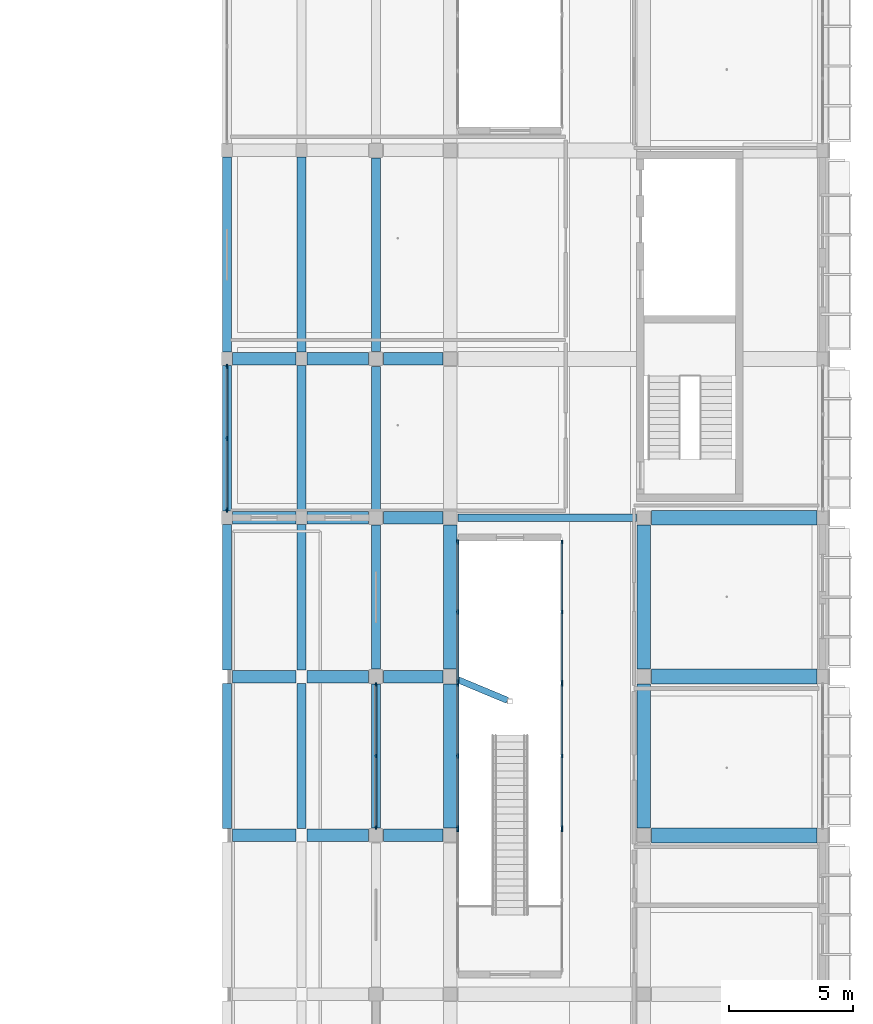
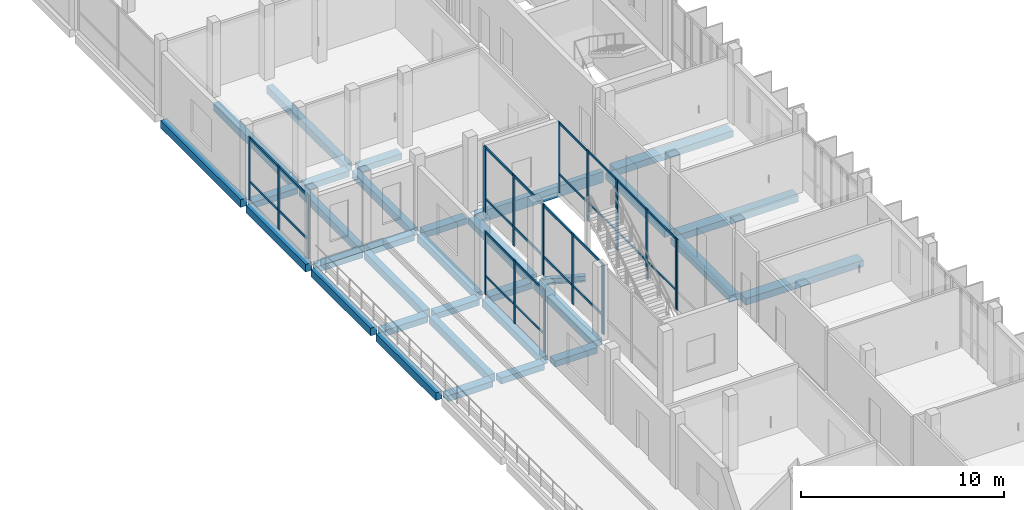
# One storey, part 35 of 95: 33 beams, 32 members, 8 elements without a shape of their own.
"""IFC4 building model written with IfcOpenShell, lengths in metres."""

from ifc_helpers import new_model, si_unit, derived_unit, direction, frame, origin, origin_2d, place, context, subcontext, project, spatial, rectangle, i_section, extrude, material, material_profile, profile_set, type_object, element, aggregate, save


model = new_model("IFC4")

# Units and contexts
model_context = context("Model", 3, precision=1e-05, world=origin(), true_north=direction((0.0, 1.0)))
body_context = subcontext(model_context, "Body", "Model", "MODEL_VIEW")
ifc_project = project(units=[si_unit("LENGTHUNIT", "METRE"), si_unit("AREAUNIT", "SQUARE_METRE"), si_unit("VOLUMEUNIT", "CUBIC_METRE"), si_unit("PLANEANGLEUNIT", "RADIAN"), si_unit("MASSUNIT", "GRAM", prefix="KILO"), derived_unit("THERMALTRANSMITTANCEUNIT", [(si_unit("POWERUNIT", "WATT"), 1), (si_unit("LENGTHUNIT", "METRE"), -2), (si_unit("THERMODYNAMICTEMPERATUREUNIT", "KELVIN"), -1)])], contexts=[model_context])

# Site, building, storey
site_placement = place(None, origin())
site = spatial("IfcSite", under=ifc_project, at=site_placement, CompositionType="ELEMENT")
building_placement = place(site_placement, origin())
building = spatial("IfcBuilding", under=site, at=building_placement, Name="Braskholm Square Health Centre", CompositionType="ELEMENT")
storey_placement = place(building_placement, frame((0.0, 0.0, 4.800048828125)))
storey = spatial("IfcBuildingStorey", under=building, at=storey_placement, Name="L02", CompositionType="ELEMENT", Elevation=4.800048828125)

# Curtain wall, members
ifc_material_1 = material(Name="Low-E triple insulating glass (VLT 0.64)", Category="glass")
curtain_wall_type_1 = type_object("IfcCurtainWallType", Name="UnitisedCurtainWall6200x3800", PredefinedType="NOTDEFINED", material=ifc_material_1)
curtain_wall_1_placement = place(storey_placement, origin())
curtain_wall_1 = element("IfcCurtainWall", 1, at=curtain_wall_1_placement, inside=storey, type_object=curtain_wall_type_1, Name="East Valley unitised curtain wall CW-L02-0118", PredefinedType="NOTDEFINED")
ifc_material_2 = material(Name="Architectural bronze anodised aluminium", Category="aluminium")
ifc_material_profile_1 = material_profile(ifc_material_2, rectangle(XDim=0.06494140625, YDim=0.14990234375, at=origin_2d()), Name="ALU-65X150")
ifc_profile_set_1 = profile_set([ifc_material_profile_1], Name="Architectural bronze anodised aluminium")
member_type_1 = type_object("IfcMemberType", Name="CurtainWallMullion65x150", PredefinedType="MULLION", material=ifc_profile_set_1)
member_1_placement = place(storey_placement, frame((145.800048828125, 42.280029296875, 0.0), z_axis=(0.0, 0.0, 1.0), x_axis=(1.0, 0.0, 0.0)))
member_1 = element("IfcMember", 2, at=member_1_placement, type_object=member_type_1, Name="CW-L02-0118 vertical mullion 1", PredefinedType="MULLION", context=body_context, shape_type="SweptSolid", body=[
    extrude(rectangle(XDim=0.06494140625, YDim=0.14990234375, at=origin_2d()), origin(), (0.0, 0.0, 1.0), 3.7900390625),
])
member_2_placement = place(storey_placement, frame((145.800048828125, 39.39990234375, 0.0), z_axis=(0.0, 0.0, 1.0), x_axis=(1.0, 0.0, 0.0)))
member_2 = element("IfcMember", 3, at=member_2_placement, type_object=member_type_1, Name="CW-L02-0118 vertical mullion 2", PredefinedType="MULLION", context=body_context, shape_type="SweptSolid", body=[
    extrude(rectangle(XDim=0.06494140625, YDim=0.14990234375, at=origin_2d()), origin(), (0.0, 0.0, 1.0), 3.7900390625),
])
member_3_placement = place(storey_placement, frame((145.800048828125, 36.52001953125, 0.0), z_axis=(0.0, 0.0, 1.0), x_axis=(1.0, 0.0, 0.0)))
member_3 = element("IfcMember", 4, at=member_3_placement, type_object=member_type_1, Name="CW-L02-0118 vertical mullion 3", PredefinedType="MULLION", context=body_context, shape_type="SweptSolid", body=[
    extrude(rectangle(XDim=0.06494140625, YDim=0.14990234375, at=origin_2d()), origin(), (0.0, 0.0, 1.0), 3.7900390625),
])

# Curtain wall, member
curtain_wall_type_2 = type_object("IfcCurtainWallType", Name="UnitisedCurtainWall5400x4100", PredefinedType="NOTDEFINED", material=ifc_material_1)
curtain_wall_2_placement = place(storey_placement, origin())
curtain_wall_2 = element("IfcCurtainWall", 5, at=curtain_wall_2_placement, inside=storey, type_object=curtain_wall_type_2, Name="EC1 Court E unitised curtain wall CW-L02-0328", PredefinedType="NOTDEFINED")
member_4_placement = place(storey_placement, frame((153.300048828125, 36.427734375, 0.0), z_axis=(0.0, 0.0, 1.0), x_axis=(1.0, 0.0, 0.0)))
member_4 = element("IfcMember", 6, at=member_4_placement, type_object=member_type_1, Name="CW-L02-0328 vertical mullion 1", PredefinedType="MULLION", context=body_context, shape_type="SweptSolid", body=[
    extrude(rectangle(XDim=0.06494140625, YDim=0.14990234375, at=origin_2d()), origin(), (0.0, 0.0, 1.0), 4.25),
])
aggregate(curtain_wall_2, [member_4])

# Curtain wall, members
curtain_wall_type_3 = type_object("IfcCurtainWallType", Name="UnitisedCurtainWall6200x4100", PredefinedType="NOTDEFINED", material=ifc_material_1)
curtain_wall_3_placement = place(storey_placement, origin())
curtain_wall_3 = element("IfcCurtainWall", 7, at=curtain_wall_3_placement, inside=storey, type_object=curtain_wall_type_3, Name="EC1 Court E unitised curtain wall CW-L02-0330", PredefinedType="NOTDEFINED")
member_5_placement = place(storey_placement, frame((153.300048828125, 42.29296875, 0.0), z_axis=(0.0, 0.0, 1.0), x_axis=(1.0, 0.0, 0.0)))
member_5 = element("IfcMember", 8, at=member_5_placement, type_object=member_type_1, Name="CW-L02-0330 vertical mullion 1", PredefinedType="MULLION", context=body_context, shape_type="SweptSolid", body=[
    extrude(rectangle(XDim=0.06494140625, YDim=0.14990234375, at=origin_2d()), origin(), (0.0, 0.0, 1.0), 4.25),
])
member_6_placement = place(storey_placement, frame((153.300048828125, 39.39990234375, 0.0), z_axis=(0.0, 0.0, 1.0), x_axis=(1.0, 0.0, 0.0)))
member_6 = element("IfcMember", 9, at=member_6_placement, type_object=member_type_1, Name="CW-L02-0330 vertical mullion 2", PredefinedType="MULLION", context=body_context, shape_type="SweptSolid", body=[
    extrude(rectangle(XDim=0.06494140625, YDim=0.14990234375, at=origin_2d()), origin(), (0.0, 0.0, 1.0), 4.25),
])
member_7_placement = place(storey_placement, frame((153.300048828125, 36.507080078125, 0.0), z_axis=(0.0, 0.0, 1.0), x_axis=(1.0, 0.0, 0.0)))
member_7 = element("IfcMember", 10, at=member_7_placement, type_object=member_type_1, Name="CW-L02-0330 vertical mullion 3", PredefinedType="MULLION", context=body_context, shape_type="SweptSolid", body=[
    extrude(rectangle(XDim=0.06494140625, YDim=0.14990234375, at=origin_2d()), origin(), (0.0, 0.0, 1.0), 4.25),
])

curtain_wall_4_placement = place(storey_placement, origin())
curtain_wall_4 = element("IfcCurtainWall", 11, at=curtain_wall_4_placement, inside=storey, type_object=curtain_wall_type_2, Name="EC1 Court E unitised curtain wall CW-L02-0332", PredefinedType="NOTDEFINED")
member_8_placement = place(storey_placement, frame((153.300048828125, 48.025634765625, 0.0), z_axis=(0.0, 0.0, 1.0), x_axis=(1.0, 0.0, 0.0)))
member_8 = element("IfcMember", 12, at=member_8_placement, type_object=member_type_1, Name="CW-L02-0332 vertical mullion 1", PredefinedType="MULLION", context=body_context, shape_type="SweptSolid", body=[
    extrude(rectangle(XDim=0.06494140625, YDim=0.14990234375, at=origin_2d()), origin(), (0.0, 0.0, 1.0), 4.25),
])
member_9_placement = place(storey_placement, frame((153.300048828125, 45.198974609375, 0.0), z_axis=(0.0, 0.0, 1.0), x_axis=(1.0, 0.0, 0.0)))
member_9 = element("IfcMember", 13, at=member_9_placement, type_object=member_type_1, Name="CW-L02-0332 vertical mullion 2", PredefinedType="MULLION", context=body_context, shape_type="SweptSolid", body=[
    extrude(rectangle(XDim=0.06494140625, YDim=0.14990234375, at=origin_2d()), origin(), (0.0, 0.0, 1.0), 4.25),
])
member_10_placement = place(storey_placement, frame((153.300048828125, 42.372314453125, 0.0), z_axis=(0.0, 0.0, 1.0), x_axis=(1.0, 0.0, 0.0)))
member_10 = element("IfcMember", 14, at=member_10_placement, type_object=member_type_1, Name="CW-L02-0332 vertical mullion 3", PredefinedType="MULLION", context=body_context, shape_type="SweptSolid", body=[
    extrude(rectangle(XDim=0.06494140625, YDim=0.14990234375, at=origin_2d()), origin(), (0.0, 0.0, 1.0), 4.25),
])

curtain_wall_5_placement = place(storey_placement, origin())
curtain_wall_5 = element("IfcCurtainWall", 15, at=curtain_wall_5_placement, inside=storey, type_object=curtain_wall_type_1, Name="East Valley unitised curtain wall CW-L02-0119", PredefinedType="NOTDEFINED")
ifc_material_profile_2 = material_profile(ifc_material_2, rectangle(XDim=0.074951171875, YDim=0.179931640625, at=origin_2d()), Name="ALU-75X180")
ifc_profile_set_2 = profile_set([ifc_material_profile_2], Name="Architectural bronze anodised aluminium")
member_type_2 = type_object("IfcMemberType", Name="CurtainWallMullion75x180", PredefinedType="MULLION", material=ifc_profile_set_2)
member_11_placement = place(storey_placement, frame((139.800048828125, 55.0849609375, 0.0), z_axis=(0.0, 0.0, 1.0), x_axis=(1.0, 0.0, 0.0)))
member_11 = element("IfcMember", 16, at=member_11_placement, type_object=member_type_2, Name="CW-L02-0119 vertical mullion 1", PredefinedType="MULLION", context=body_context, shape_type="SweptSolid", body=[
    extrude(rectangle(XDim=0.074951171875, YDim=0.179931640625, at=origin_2d()), origin(), (0.0, 0.0, 1.0), 3.7900390625),
])
member_12_placement = place(storey_placement, frame((139.800048828125, 52.199951171875, 0.0), z_axis=(0.0, 0.0, 1.0), x_axis=(1.0, 0.0, 0.0)))
member_12 = element("IfcMember", 17, at=member_12_placement, type_object=member_type_2, Name="CW-L02-0119 vertical mullion 2", PredefinedType="MULLION", context=body_context, shape_type="SweptSolid", body=[
    extrude(rectangle(XDim=0.074951171875, YDim=0.179931640625, at=origin_2d()), origin(), (0.0, 0.0, 1.0), 3.7900390625),
])
member_13_placement = place(storey_placement, frame((139.800048828125, 49.31494140625, 0.0), z_axis=(0.0, 0.0, 1.0), x_axis=(1.0, 0.0, 0.0)))
member_13 = element("IfcMember", 18, at=member_13_placement, type_object=member_type_2, Name="CW-L02-0119 vertical mullion 3", PredefinedType="MULLION", context=body_context, shape_type="SweptSolid", body=[
    extrude(rectangle(XDim=0.074951171875, YDim=0.179931640625, at=origin_2d()), origin(), (0.0, 0.0, 1.0), 3.7900390625),
])

# Curtain wall, member
curtain_wall_6_placement = place(storey_placement, origin())
curtain_wall_6 = element("IfcCurtainWall", 19, at=curtain_wall_6_placement, inside=storey, type_object=curtain_wall_type_2, Name="EC1 Court W unitised curtain wall CW-L02-0327", PredefinedType="NOTDEFINED")
member_14_placement = place(storey_placement, frame((149.10009765625, 36.427734375, 0.0), z_axis=(0.0, 0.0, 1.0), x_axis=(1.0, 0.0, 0.0)))
member_14 = element("IfcMember", 20, at=member_14_placement, type_object=member_type_2, Name="CW-L02-0327 vertical mullion 3", PredefinedType="MULLION", context=body_context, shape_type="SweptSolid", body=[
    extrude(rectangle(XDim=0.074951171875, YDim=0.179931640625, at=origin_2d()), origin(), (0.0, 0.0, 1.0), 4.25),
])
aggregate(curtain_wall_6, [member_14])

# Curtain wall, members
curtain_wall_7_placement = place(storey_placement, origin())
curtain_wall_7 = element("IfcCurtainWall", 21, at=curtain_wall_7_placement, inside=storey, type_object=curtain_wall_type_3, Name="EC1 Court W unitised curtain wall CW-L02-0329", PredefinedType="NOTDEFINED")
member_15_placement = place(storey_placement, frame((149.10009765625, 36.507080078125, 0.0), z_axis=(0.0, 0.0, 1.0), x_axis=(1.0, 0.0, 0.0)))
member_15 = element("IfcMember", 22, at=member_15_placement, type_object=member_type_2, Name="CW-L02-0329 vertical mullion 1", PredefinedType="MULLION", context=body_context, shape_type="SweptSolid", body=[
    extrude(rectangle(XDim=0.074951171875, YDim=0.179931640625, at=origin_2d()), origin(), (0.0, 0.0, 1.0), 4.25),
])
member_16_placement = place(storey_placement, frame((149.10009765625, 39.39990234375, 0.0), z_axis=(0.0, 0.0, 1.0), x_axis=(1.0, 0.0, 0.0)))
member_16 = element("IfcMember", 23, at=member_16_placement, type_object=member_type_2, Name="CW-L02-0329 vertical mullion 2", PredefinedType="MULLION", context=body_context, shape_type="SweptSolid", body=[
    extrude(rectangle(XDim=0.074951171875, YDim=0.179931640625, at=origin_2d()), origin(), (0.0, 0.0, 1.0), 4.25),
])
member_17_placement = place(storey_placement, frame((149.10009765625, 42.29296875, 0.0), z_axis=(0.0, 0.0, 1.0), x_axis=(1.0, 0.0, 0.0)))
member_17 = element("IfcMember", 24, at=member_17_placement, type_object=member_type_2, Name="CW-L02-0329 vertical mullion 3", PredefinedType="MULLION", context=body_context, shape_type="SweptSolid", body=[
    extrude(rectangle(XDim=0.074951171875, YDim=0.179931640625, at=origin_2d()), origin(), (0.0, 0.0, 1.0), 4.25),
])

curtain_wall_8_placement = place(storey_placement, origin())
curtain_wall_8 = element("IfcCurtainWall", 25, at=curtain_wall_8_placement, inside=storey, type_object=curtain_wall_type_2, Name="EC1 Court W unitised curtain wall CW-L02-0331", PredefinedType="NOTDEFINED")
member_18_placement = place(storey_placement, frame((149.10009765625, 42.372314453125, 0.0), z_axis=(0.0, 0.0, 1.0), x_axis=(1.0, 0.0, 0.0)))
member_18 = element("IfcMember", 26, at=member_18_placement, type_object=member_type_2, Name="CW-L02-0331 vertical mullion 1", PredefinedType="MULLION", context=body_context, shape_type="SweptSolid", body=[
    extrude(rectangle(XDim=0.074951171875, YDim=0.179931640625, at=origin_2d()), origin(), (0.0, 0.0, 1.0), 4.25),
])
member_19_placement = place(storey_placement, frame((149.10009765625, 45.198974609375, 0.0), z_axis=(0.0, 0.0, 1.0), x_axis=(1.0, 0.0, 0.0)))
member_19 = element("IfcMember", 27, at=member_19_placement, type_object=member_type_2, Name="CW-L02-0331 vertical mullion 2", PredefinedType="MULLION", context=body_context, shape_type="SweptSolid", body=[
    extrude(rectangle(XDim=0.074951171875, YDim=0.179931640625, at=origin_2d()), origin(), (0.0, 0.0, 1.0), 4.25),
])
member_20_placement = place(storey_placement, frame((149.10009765625, 48.025634765625, 0.0), z_axis=(0.0, 0.0, 1.0), x_axis=(1.0, 0.0, 0.0)))
member_20 = element("IfcMember", 28, at=member_20_placement, type_object=member_type_2, Name="CW-L02-0331 vertical mullion 3", PredefinedType="MULLION", context=body_context, shape_type="SweptSolid", body=[
    extrude(rectangle(XDim=0.074951171875, YDim=0.179931640625, at=origin_2d()), origin(), (0.0, 0.0, 1.0), 4.25),
])

# Member
ifc_material_profile_3 = material_profile(ifc_material_2, rectangle(XDim=0.06494140625, YDim=0.1201171875, at=origin_2d()), Name="ALU-65X120")
ifc_profile_set_3 = profile_set([ifc_material_profile_3], Name="Architectural bronze anodised aluminium")
member_type_3 = type_object("IfcMemberType", Name="CurtainWallTransom65x120", PredefinedType="USERDEFINED", material=ifc_profile_set_3)
member_21_placement = place(storey_placement, frame((145.800048828125, 42.27001953125, 1.119873046875), z_axis=(0.0, -1.0, 0.0), x_axis=(1.0, 0.0, 0.0)))
member_21 = element("IfcMember", 29, at=member_21_placement, type_object=member_type_3, Name="CW-L02-0118 horizontal transom 1", ObjectType="TRANSOM", PredefinedType="USERDEFINED", context=body_context, shape_type="SweptSolid", body=[
    extrude(rectangle(XDim=0.06494140625, YDim=0.1201171875, at=origin_2d()), origin(), (0.0, 0.0, 1.0), 5.739990234375),
])

member_22_placement = place(storey_placement, frame((145.800048828125, 42.27001953125, 3.719970703125), z_axis=(0.0, -1.0, 0.0), x_axis=(1.0, 0.0, 0.0)))
member_22 = element("IfcMember", 30, at=member_22_placement, type_object=member_type_3, Name="CW-L02-0118 horizontal transom 2", ObjectType="TRANSOM", PredefinedType="USERDEFINED", context=body_context, shape_type="SweptSolid", body=[
    extrude(rectangle(XDim=0.06494140625, YDim=0.1201171875, at=origin_2d()), origin(), (0.0, 0.0, 1.0), 5.739990234375),
])

aggregate(curtain_wall_1, [member_1, member_2, member_3, member_21, member_22])

member_23_placement = place(storey_placement, frame((153.300048828125, 42.282958984375, 1.119873046875), z_axis=(0.0, -1.0, 0.0), x_axis=(1.0, 0.0, 0.0)))
member_23 = element("IfcMember", 31, at=member_23_placement, type_object=member_type_3, Name="CW-L02-0330 horizontal transom 1", ObjectType="TRANSOM", PredefinedType="USERDEFINED", context=body_context, shape_type="SweptSolid", body=[
    extrude(rectangle(XDim=0.06494140625, YDim=0.1201171875, at=origin_2d()), origin(), (0.0, 0.0, 1.0), 5.765869140625),
])

member_24_placement = place(storey_placement, frame((153.300048828125, 42.282958984375, 4.179931640625), z_axis=(0.0, -1.0, 0.0), x_axis=(1.0, 0.0, 0.0)))
member_24 = element("IfcMember", 32, at=member_24_placement, type_object=member_type_3, Name="CW-L02-0330 horizontal transom 2", ObjectType="TRANSOM", PredefinedType="USERDEFINED", context=body_context, shape_type="SweptSolid", body=[
    extrude(rectangle(XDim=0.06494140625, YDim=0.1201171875, at=origin_2d()), origin(), (0.0, 0.0, 1.0), 5.765869140625),
])

aggregate(curtain_wall_3, [member_5, member_6, member_7, member_23, member_24])

member_25_placement = place(storey_placement, frame((153.300048828125, 48.014892578125, 1.119873046875), z_axis=(0.0, -1.0, 0.0), x_axis=(1.0, 0.0, 0.0)))
member_25 = element("IfcMember", 33, at=member_25_placement, type_object=member_type_3, Name="CW-L02-0332 horizontal transom 1", ObjectType="TRANSOM", PredefinedType="USERDEFINED", context=body_context, shape_type="SweptSolid", body=[
    extrude(rectangle(XDim=0.06494140625, YDim=0.1201171875, at=origin_2d()), origin(), (0.0, 0.0, 1.0), 5.6318359375),
])

member_26_placement = place(storey_placement, frame((153.300048828125, 48.014892578125, 4.179931640625), z_axis=(0.0, -1.0, 0.0), x_axis=(1.0, 0.0, 0.0)))
member_26 = element("IfcMember", 34, at=member_26_placement, type_object=member_type_3, Name="CW-L02-0332 horizontal transom 2", ObjectType="TRANSOM", PredefinedType="USERDEFINED", context=body_context, shape_type="SweptSolid", body=[
    extrude(rectangle(XDim=0.06494140625, YDim=0.1201171875, at=origin_2d()), origin(), (0.0, 0.0, 1.0), 5.6318359375),
])

aggregate(curtain_wall_4, [member_8, member_9, member_10, member_25, member_26])

ifc_material_profile_4 = material_profile(ifc_material_2, rectangle(XDim=0.074951171875, YDim=0.139892578125, at=origin_2d()), Name="ALU-75X140")
ifc_profile_set_4 = profile_set([ifc_material_profile_4], Name="Architectural bronze anodised aluminium")
member_type_4 = type_object("IfcMemberType", Name="CurtainWallTransom75x140", PredefinedType="USERDEFINED", material=ifc_profile_set_4)
member_27_placement = place(storey_placement, frame((139.800048828125, 55.074951171875, 1.119873046875), z_axis=(0.0, -1.0, 0.0), x_axis=(1.0, 0.0, 0.0)))
member_27 = element("IfcMember", 35, at=member_27_placement, type_object=member_type_4, Name="CW-L02-0119 horizontal transom 1", ObjectType="TRANSOM", PredefinedType="USERDEFINED", context=body_context, shape_type="SweptSolid", body=[
    extrude(rectangle(XDim=0.074951171875, YDim=0.139892578125, at=origin_2d()), origin(), (0.0, 0.0, 1.0), 5.75),
])

member_28_placement = place(storey_placement, frame((139.800048828125, 55.074951171875, 3.719970703125), z_axis=(0.0, -1.0, 0.0), x_axis=(1.0, 0.0, 0.0)))
member_28 = element("IfcMember", 36, at=member_28_placement, type_object=member_type_4, Name="CW-L02-0119 horizontal transom 2", ObjectType="TRANSOM", PredefinedType="USERDEFINED", context=body_context, shape_type="SweptSolid", body=[
    extrude(rectangle(XDim=0.074951171875, YDim=0.139892578125, at=origin_2d()), origin(), (0.0, 0.0, 1.0), 5.75),
])

aggregate(curtain_wall_5, [member_11, member_12, member_13, member_27, member_28])

member_29_placement = place(storey_placement, frame((149.10009765625, 36.51708984375, 1.119873046875), z_axis=(0.0, 1.0, 0.0), x_axis=(-1.0, 0.0, 0.0)))
member_29 = element("IfcMember", 37, at=member_29_placement, type_object=member_type_4, Name="CW-L02-0329 horizontal transom 1", ObjectType="TRANSOM", PredefinedType="USERDEFINED", context=body_context, shape_type="SweptSolid", body=[
    extrude(rectangle(XDim=0.074951171875, YDim=0.139892578125, at=origin_2d()), origin(), (0.0, 0.0, 1.0), 5.765869140625),
])

member_30_placement = place(storey_placement, frame((149.10009765625, 36.51708984375, 4.179931640625), z_axis=(0.0, 1.0, 0.0), x_axis=(-1.0, 0.0, 0.0)))
member_30 = element("IfcMember", 38, at=member_30_placement, type_object=member_type_4, Name="CW-L02-0329 horizontal transom 2", ObjectType="TRANSOM", PredefinedType="USERDEFINED", context=body_context, shape_type="SweptSolid", body=[
    extrude(rectangle(XDim=0.074951171875, YDim=0.139892578125, at=origin_2d()), origin(), (0.0, 0.0, 1.0), 5.765869140625),
])

aggregate(curtain_wall_7, [member_15, member_16, member_17, member_29, member_30])

member_31_placement = place(storey_placement, frame((149.10009765625, 42.383056640625, 1.119873046875), z_axis=(0.0, 1.0, 0.0), x_axis=(-1.0, 0.0, 0.0)))
member_31 = element("IfcMember", 39, at=member_31_placement, type_object=member_type_4, Name="CW-L02-0331 horizontal transom 1", ObjectType="TRANSOM", PredefinedType="USERDEFINED", context=body_context, shape_type="SweptSolid", body=[
    extrude(rectangle(XDim=0.074951171875, YDim=0.139892578125, at=origin_2d()), origin(), (0.0, 0.0, 1.0), 5.6318359375),
])

member_32_placement = place(storey_placement, frame((149.10009765625, 42.383056640625, 4.179931640625), z_axis=(0.0, 1.0, 0.0), x_axis=(-1.0, 0.0, 0.0)))
member_32 = element("IfcMember", 40, at=member_32_placement, type_object=member_type_4, Name="CW-L02-0331 horizontal transom 2", ObjectType="TRANSOM", PredefinedType="USERDEFINED", context=body_context, shape_type="SweptSolid", body=[
    extrude(rectangle(XDim=0.074951171875, YDim=0.139892578125, at=origin_2d()), origin(), (0.0, 0.0, 1.0), 5.6318359375),
])

aggregate(curtain_wall_8, [member_18, member_19, member_20, member_31, member_32])

# Beams
ifc_material_3 = material(Name="Concrete C35/45 (f'c = 35 MPa)", Category="concrete")
ifc_material_profile_5 = material_profile(ifc_material_3, rectangle(XDim=0.5, YDim=0.360107421875, at=origin_2d()), Name="RCB-500X360")
ifc_profile_set_5 = profile_set([ifc_material_profile_5], Name="Concrete C35/45 (f'c = 35 MPa)")
beam_type_1 = type_object("IfcBeamType", Name="PrimaryBandBeam500x360", PredefinedType="BEAM", material=ifc_profile_set_5)
beam_1_placement = place(storey_placement, frame((140.02001953125, 36.199951171875, -0.429931640625), z_axis=(1.0, 0.0, 0.0), x_axis=(0.0, 1.0, 0.0)))
element("IfcBeam", 41, at=beam_1_placement, inside=storey, type_object=beam_type_1, Name="Beam 17-18/F L02", PredefinedType="BEAM", context=body_context, shape_type="SweptSolid", body=[
    extrude(rectangle(XDim=0.5, YDim=0.360107421875, at=origin_2d()), origin(), (0.0, 0.0, 1.0), 2.56005859375),
])
beam_2_placement = place(storey_placement, frame((143.02001953125, 36.199951171875, -0.429931640625), z_axis=(1.0, 0.0, 0.0), x_axis=(0.0, 1.0, 0.0)))
element("IfcBeam", 42, at=beam_2_placement, inside=storey, type_object=beam_type_1, Name="Beam 18-19/F L02", PredefinedType="BEAM", context=body_context, shape_type="SweptSolid", body=[
    extrude(rectangle(XDim=0.5, YDim=0.360107421875, at=origin_2d()), origin(), (0.0, 0.0, 1.0), 2.47998046875),
])
beam_3_placement = place(storey_placement, frame((146.10009765625, 36.199951171875, -0.47998046875), z_axis=(1.0, 0.0, 0.0), x_axis=(0.0, 1.0, 0.0)))
element("IfcBeam", 43, at=beam_3_placement, inside=storey, type_object=beam_type_1, Name="Beam 19-20/F L02", PredefinedType="BEAM", context=body_context, shape_type="SweptSolid", body=[
    extrude(rectangle(XDim=0.5, YDim=0.360107421875, at=origin_2d()), origin(), (0.0, 0.0, 1.0), 2.39990234375),
])
beam_4_placement = place(storey_placement, frame((140.02001953125, 42.60009765625, -0.429931640625), z_axis=(1.0, 0.0, 0.0), x_axis=(0.0, 1.0, 0.0)))
element("IfcBeam", 44, at=beam_4_placement, inside=storey, type_object=beam_type_1, Name="Beam 17-18/G L02", PredefinedType="BEAM", context=body_context, shape_type="SweptSolid", body=[
    extrude(rectangle(XDim=0.5, YDim=0.360107421875, at=origin_2d()), origin(), (0.0, 0.0, 1.0), 2.56005859375),
])
beam_5_placement = place(storey_placement, frame((143.02001953125, 42.60009765625, -0.429931640625), z_axis=(1.0, 0.0, 0.0), x_axis=(0.0, 1.0, 0.0)))
element("IfcBeam", 45, at=beam_5_placement, inside=storey, type_object=beam_type_1, Name="Beam 18-19/G L02", PredefinedType="BEAM", context=body_context, shape_type="SweptSolid", body=[
    extrude(rectangle(XDim=0.5, YDim=0.360107421875, at=origin_2d()), origin(), (0.0, 0.0, 1.0), 2.47998046875),
])
beam_6_placement = place(storey_placement, frame((146.10009765625, 42.60009765625, -0.47998046875), z_axis=(1.0, 0.0, 0.0), x_axis=(0.0, 1.0, 0.0)))
element("IfcBeam", 46, at=beam_6_placement, inside=storey, type_object=beam_type_1, Name="Beam 19-20/G L02", PredefinedType="BEAM", context=body_context, shape_type="SweptSolid", body=[
    extrude(rectangle(XDim=0.5, YDim=0.360107421875, at=origin_2d()), origin(), (0.0, 0.0, 1.0), 2.39990234375),
])
beam_7_placement = place(storey_placement, frame((140.02001953125, 49.0, -0.429931640625), z_axis=(1.0, 0.0, 0.0), x_axis=(0.0, 1.0, 0.0)))
element("IfcBeam", 47, at=beam_7_placement, inside=storey, type_object=beam_type_1, Name="Beam 17-18/H L02", PredefinedType="BEAM", context=body_context, shape_type="SweptSolid", body=[
    extrude(rectangle(XDim=0.5, YDim=0.360107421875, at=origin_2d()), origin(), (0.0, 0.0, 1.0), 2.56005859375),
])
beam_8_placement = place(storey_placement, frame((143.02001953125, 49.0, -0.429931640625), z_axis=(1.0, 0.0, 0.0), x_axis=(0.0, 1.0, 0.0)))
element("IfcBeam", 48, at=beam_8_placement, inside=storey, type_object=beam_type_1, Name="Beam 18-19/H L02", PredefinedType="BEAM", context=body_context, shape_type="SweptSolid", body=[
    extrude(rectangle(XDim=0.5, YDim=0.360107421875, at=origin_2d()), origin(), (0.0, 0.0, 1.0), 2.47998046875),
])
beam_9_placement = place(storey_placement, frame((146.10009765625, 49.0, -0.47998046875), z_axis=(1.0, 0.0, 0.0), x_axis=(0.0, 1.0, 0.0)))
element("IfcBeam", 49, at=beam_9_placement, inside=storey, type_object=beam_type_1, Name="Beam 19-20/H L02", PredefinedType="BEAM", context=body_context, shape_type="SweptSolid", body=[
    extrude(rectangle(XDim=0.5, YDim=0.360107421875, at=origin_2d()), origin(), (0.0, 0.0, 1.0), 2.39990234375),
])
beam_10_placement = place(storey_placement, frame((140.02001953125, 55.39990234375, -0.47998046875), z_axis=(1.0, 0.0, 0.0), x_axis=(0.0, 1.0, 0.0)))
element("IfcBeam", 50, at=beam_10_placement, inside=storey, type_object=beam_type_1, Name="Beam 17-18/J L02", PredefinedType="BEAM", context=body_context, shape_type="SweptSolid", body=[
    extrude(rectangle(XDim=0.5, YDim=0.360107421875, at=origin_2d()), origin(), (0.0, 0.0, 1.0), 2.56005859375),
])
beam_11_placement = place(storey_placement, frame((143.02001953125, 55.39990234375, -0.47998046875), z_axis=(1.0, 0.0, 0.0), x_axis=(0.0, 1.0, 0.0)))
element("IfcBeam", 51, at=beam_11_placement, inside=storey, type_object=beam_type_1, Name="Beam 18-19/J L02", PredefinedType="BEAM", context=body_context, shape_type="SweptSolid", body=[
    extrude(rectangle(XDim=0.5, YDim=0.360107421875, at=origin_2d()), origin(), (0.0, 0.0, 1.0), 2.47998046875),
])
beam_12_placement = place(storey_placement, frame((146.10009765625, 55.39990234375, -0.47998046875), z_axis=(1.0, 0.0, 0.0), x_axis=(0.0, 1.0, 0.0)))
element("IfcBeam", 52, at=beam_12_placement, inside=storey, type_object=beam_type_1, Name="Beam 19-20/J L02", PredefinedType="BEAM", context=body_context, shape_type="SweptSolid", body=[
    extrude(rectangle(XDim=0.5, YDim=0.360107421875, at=origin_2d()), origin(), (0.0, 0.0, 1.0), 2.39990234375),
])
ifc_material_profile_6 = material_profile(ifc_material_3, rectangle(XDim=0.550048828125, YDim=0.3798828125, at=origin_2d()), Name="RCB-550X380")
ifc_profile_set_6 = profile_set([ifc_material_profile_6], Name="Concrete C35/45 (f'c = 35 MPa)")
beam_type_2 = type_object("IfcBeamType", Name="PrimaryBandBeam550x380", PredefinedType="BEAM", material=ifc_profile_set_6)
for number, where, z_axis, x_axis, name in (
    (53, (148.800048828125, 36.5, -0.489990234375), (0.0, 1.0, 0.0), (-1.0, 0.0, 0.0), "Beam 20/F-G L02"),
    (54, (148.800048828125, 42.89990234375, -0.489990234375), (0.0, 1.0, 0.0), (-1.0, 0.0, 0.0), "Beam 20/G-H L02"),
    (55, (156.60009765625, 36.5, -0.489990234375), (0.0, 1.0, 0.0), (-1.0, 0.0, 0.0), "Beam 21/F-G L02"),
    (56, (156.60009765625, 42.89990234375, -0.489990234375), (0.0, 1.0, 0.0), (-1.0, 0.0, 0.0), "Beam 21/G-H L02"),
):
    element("IfcBeam", number, at=place(storey_placement, frame(where, z_axis=z_axis, x_axis=x_axis)), inside=storey, type_object=beam_type_2, Name=name, PredefinedType="BEAM", context=body_context, shape_type="SweptSolid", body=[
        extrude(rectangle(XDim=0.550048828125, YDim=0.3798828125, at=origin_2d()), origin(), (0.0, 0.0, 1.0), 5.800048828125),
    ])
ifc_material_profile_7 = material_profile(ifc_material_3, rectangle(XDim=0.60009765625, YDim=0.39990234375, at=origin_2d()), Name="RCB-600X400")
ifc_profile_set_7 = profile_set([ifc_material_profile_7], Name="Concrete C35/45 (f'c = 35 MPa)")
beam_type_3 = type_object("IfcBeamType", Name="PrimaryBandBeam600x400", PredefinedType="BEAM", material=ifc_profile_set_7)
for number, where, z_axis, x_axis, name in (
    (57, (156.89990234375, 36.199951171875, -0.5), (1.0, 0.0, 0.0), (0.0, 1.0, 0.0), "Beam 21-22/F L02"),
    (58, (156.89990234375, 42.60009765625, -0.5), (1.0, 0.0, 0.0), (0.0, 1.0, 0.0), "Beam 21-22/G L02"),
    (59, (156.89990234375, 49.0, -0.5), (1.0, 0.0, 0.0), (0.0, 1.0, 0.0), "Beam 21-22/H L02"),
):
    element("IfcBeam", number, at=place(storey_placement, frame(where, z_axis=z_axis, x_axis=x_axis)), inside=storey, type_object=beam_type_3, Name=name, PredefinedType="BEAM", context=body_context, shape_type="SweptSolid", body=[
        extrude(rectangle(XDim=0.60009765625, YDim=0.39990234375, at=origin_2d()), origin(), (0.0, 0.0, 1.0), 6.670166015625),
    ])
ifc_material_4 = material(Name="Concrete C40/50 (f'c = 40 MPa)", Category="concrete")
ifc_material_profile_8 = material_profile(ifc_material_4, rectangle(XDim=0.300048828125, YDim=0.64990234375, at=origin_2d()), Name="RCB-300X650")
ifc_profile_set_8 = profile_set([ifc_material_profile_8], Name="Concrete C40/50 (f'c = 40 MPa)")
beam_type_4 = type_object("IfcBeamType", Name="PrimaryCoreCoupling300x650", PredefinedType="BEAM", material=ifc_profile_set_8)
beam_13_placement = place(storey_placement, frame((149.10009765625, 49.0, -0.625), z_axis=(1.0, 0.0, 0.0), x_axis=(0.0, 1.0, 0.0)))
element("IfcBeam", 60, at=beam_13_placement, inside=storey, type_object=beam_type_4, Name="Beam 20-21/H L02", PredefinedType="BEAM", context=body_context, shape_type="SweptSolid", body=[
    extrude(rectangle(XDim=0.300048828125, YDim=0.64990234375, at=origin_2d()), origin(), (0.0, 0.0, 1.0), 7.199951171875),
])
ifc_material_5 = material(Name="Precast concrete C40/50 architectural white", Category="concrete")
ifc_material_profile_9 = material_profile(ifc_material_5, rectangle(XDim=0.360107421875, YDim=0.4599609375, at=origin_2d()), Name="RCB-360X460")
ifc_profile_set_9 = profile_set([ifc_material_profile_9], Name="Precast concrete C40/50 architectural white")
beam_type_5 = type_object("IfcBeamType", Name="SpandrelTerraceEdge360x460", PredefinedType="SPANDREL", material=ifc_profile_set_9)
beam_14_placement = place(storey_placement, frame((139.800048828125, 36.469970703125, -0.47998046875), z_axis=(0.0, 1.0, 0.0), x_axis=(-1.0, 0.0, 0.0)))
element("IfcBeam", 61, at=beam_14_placement, inside=storey, type_object=beam_type_5, Name="Beam 17/F-G L02", PredefinedType="SPANDREL", context=body_context, shape_type="SweptSolid", body=[
    extrude(rectangle(XDim=0.360107421875, YDim=0.4599609375, at=origin_2d()), origin(), (0.0, 0.0, 1.0), 5.860107421875),
])
for number, where, z_axis, x_axis, name in (
    (62, (139.800048828125, 42.8701171875, -0.47998046875), (0.0, 1.0, 0.0), (-1.0, 0.0, 0.0), "Beam 17/G-H L02"),
    (63, (139.800048828125, 49.27001953125, -0.530029296875), (0.0, 1.0, 0.0), (-1.0, 0.0, 0.0), "Beam 17/H-J L02"),
):
    element("IfcBeam", number, at=place(storey_placement, frame(where, z_axis=z_axis, x_axis=x_axis)), inside=storey, type_object=beam_type_5, Name=name, PredefinedType="SPANDREL", context=body_context, shape_type="SweptSolid", body=[
        extrude(rectangle(XDim=0.360107421875, YDim=0.4599609375, at=origin_2d()), origin(), (0.0, 0.0, 1.0), 5.85986328125),
    ])
beam_15_placement = place(storey_placement, frame((139.800048828125, 55.669921875, -0.530029296875), z_axis=(0.0, 1.0, 0.0), x_axis=(-1.0, 0.0, 0.0)))
element("IfcBeam", 64, at=beam_15_placement, inside=storey, type_object=beam_type_5, Name="Beam 17/J-K L02", PredefinedType="SPANDREL", context=body_context, shape_type="SweptSolid", body=[
    extrude(rectangle(XDim=0.360107421875, YDim=0.4599609375, at=origin_2d()), origin(), (0.0, 0.0, 1.0), 7.860107421875),
])
beam_16_placement = place(storey_placement, frame((142.800048828125, 36.469970703125, -0.47998046875), z_axis=(0.0, 1.0, 0.0), x_axis=(-1.0, 0.0, 0.0)))
element("IfcBeam", 65, at=beam_16_placement, inside=storey, type_object=beam_type_5, Name="Beam 18/F-G L02", PredefinedType="SPANDREL", context=body_context, shape_type="SweptSolid", body=[
    extrude(rectangle(XDim=0.360107421875, YDim=0.4599609375, at=origin_2d()), origin(), (0.0, 0.0, 1.0), 5.860107421875),
])
for number, where, z_axis, x_axis, name in (
    (66, (142.800048828125, 42.8701171875, -0.47998046875), (0.0, 1.0, 0.0), (-1.0, 0.0, 0.0), "Beam 18/G-H L02"),
    (67, (142.800048828125, 49.27001953125, -0.530029296875), (0.0, 1.0, 0.0), (-1.0, 0.0, 0.0), "Beam 18/H-J L02"),
):
    element("IfcBeam", number, at=place(storey_placement, frame(where, z_axis=z_axis, x_axis=x_axis)), inside=storey, type_object=beam_type_5, Name=name, PredefinedType="SPANDREL", context=body_context, shape_type="SweptSolid", body=[
        extrude(rectangle(XDim=0.360107421875, YDim=0.4599609375, at=origin_2d()), origin(), (0.0, 0.0, 1.0), 5.85986328125),
    ])
beam_17_placement = place(storey_placement, frame((142.800048828125, 55.669921875, -0.530029296875), z_axis=(0.0, 1.0, 0.0), x_axis=(-1.0, 0.0, 0.0)))
element("IfcBeam", 68, at=beam_17_placement, inside=storey, type_object=beam_type_5, Name="Beam 18/J-K L02", PredefinedType="SPANDREL", context=body_context, shape_type="SweptSolid", body=[
    extrude(rectangle(XDim=0.360107421875, YDim=0.4599609375, at=origin_2d()), origin(), (0.0, 0.0, 1.0), 7.860107421875),
])
for number, where, z_axis, x_axis, name in (
    (69, (145.800048828125, 36.5, -0.47998046875), (0.0, 1.0, 0.0), (-1.0, 0.0, 0.0), "Beam 19/F-G L02"),
    (70, (145.800048828125, 42.89990234375, -0.47998046875), (0.0, 1.0, 0.0), (-1.0, 0.0, 0.0), "Beam 19/G-H L02"),
    (71, (145.800048828125, 49.300048828125, -0.530029296875), (0.0, 1.0, 0.0), (-1.0, 0.0, 0.0), "Beam 19/H-J L02"),
):
    element("IfcBeam", number, at=place(storey_placement, frame(where, z_axis=z_axis, x_axis=x_axis)), inside=storey, type_object=beam_type_5, Name=name, PredefinedType="SPANDREL", context=body_context, shape_type="SweptSolid", body=[
        extrude(rectangle(XDim=0.360107421875, YDim=0.4599609375, at=origin_2d()), origin(), (0.0, 0.0, 1.0), 5.800048828125),
    ])
beam_18_placement = place(storey_placement, frame((145.800048828125, 55.699951171875, -0.530029296875), z_axis=(0.0, 1.0, 0.0), x_axis=(-1.0, 0.0, 0.0)))
element("IfcBeam", 72, at=beam_18_placement, inside=storey, type_object=beam_type_5, Name="Beam 19/J-K L02", PredefinedType="SPANDREL", context=body_context, shape_type="SweptSolid", body=[
    extrude(rectangle(XDim=0.360107421875, YDim=0.4599609375, at=origin_2d()), origin(), (0.0, 0.0, 1.0), 7.800048828125),
])
ifc_material_6 = material(Name="Steel ASTM A992 Grade 50", Category="steel")
ifc_material_profile_10 = material_profile(ifc_material_6, i_section(OverallWidth=0.2548828125, OverallDepth=0.35693359375, WebThickness=0.010498046875, FlangeThickness=0.018310546875, at=origin_2d()), Name="W14X68")
ifc_profile_set_10 = profile_set([ifc_material_profile_10], Name="Steel ASTM A992 Grade 50")
beam_type_6 = type_object("IfcBeamType", Name="SteelBeamCanopyW14X68", PredefinedType="BEAM", material=ifc_profile_set_10)
beam_19_placement = place(storey_placement, frame((151.10009765625, 41.6416015625, -0.478515625), z_axis=(-0.92306360078, 0.384647356569, 0.0), x_axis=(-0.384647356569, -0.92306360078, 0.0)))
element("IfcBeam", 73, at=beam_19_placement, inside=storey, type_object=beam_type_6, Name="Tie beam CS3D L02", PredefinedType="BEAM", context=body_context, shape_type="SweptSolid", body=[
    extrude(i_section(OverallWidth=0.2548828125, OverallDepth=0.35693359375, WebThickness=0.010498046875, FlangeThickness=0.018310546875, at=origin_2d()), origin(), (0.0, 0.0, 1.0), 2.168701171875),
])

save(model, "model.ifc")
